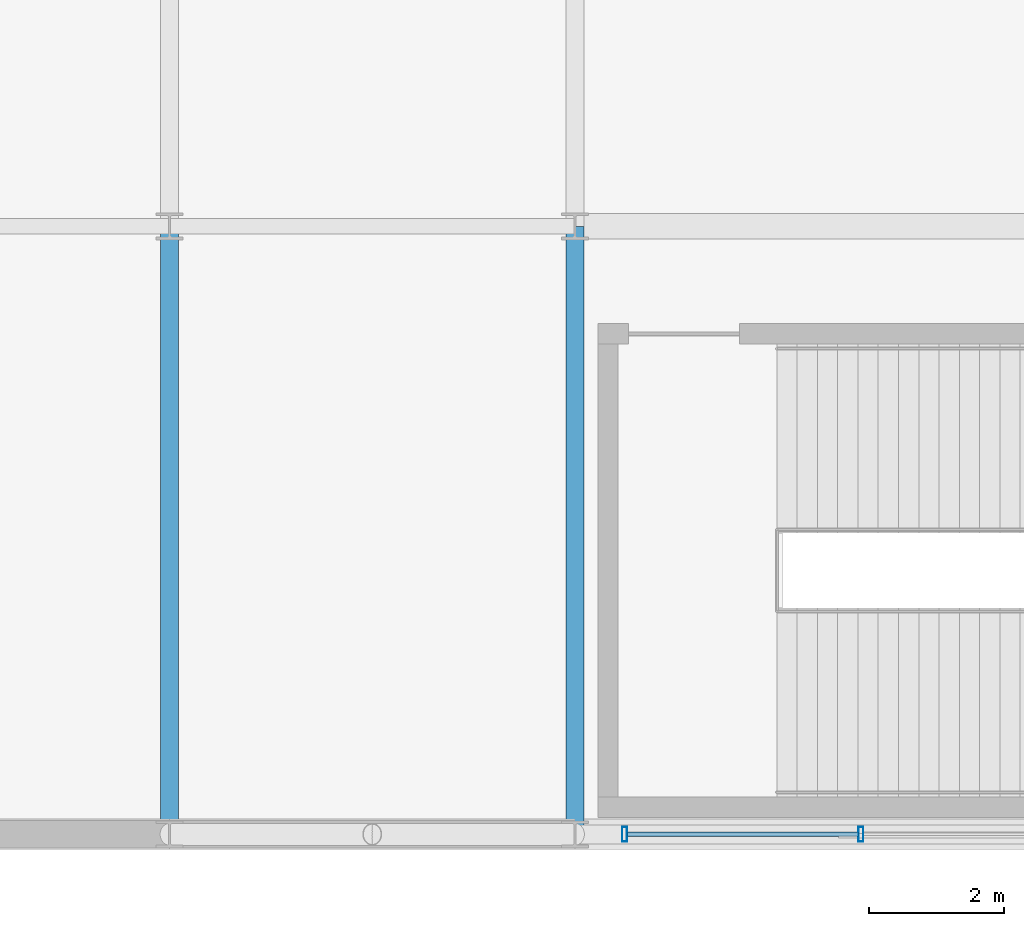
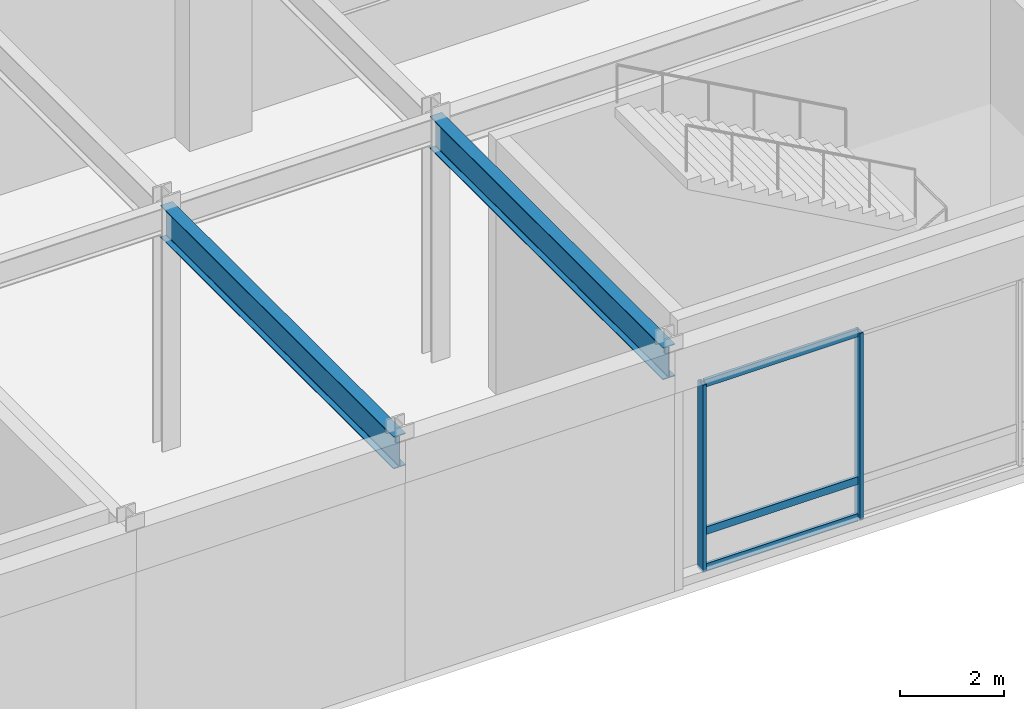
# One storey, part 24 of 105: 5 members, 2 beams, 1 element without a shape of its own.
"""IFC4 building model written with IfcOpenShell, lengths in metres."""

from ifc_helpers import new_model, si_unit, direction, frame, origin, origin_2d, place, context, subcontext, project, spatial, hollow_rectangle, i_section, extrude, material, material_profile, profile_set, type_object, element, aggregate, save


model = new_model("IFC4")

# Units and contexts
model_context = context("Model", 3, precision=1e-05, world=origin(), true_north=direction((0.0, 1.0)))
body_context = subcontext(model_context, "Body", "Model", "MODEL_VIEW")
ifc_project = project(units=[si_unit("LENGTHUNIT", "METRE"), si_unit("AREAUNIT", "SQUARE_METRE"), si_unit("VOLUMEUNIT", "CUBIC_METRE"), si_unit("PLANEANGLEUNIT", "RADIAN"), si_unit("MASSUNIT", "GRAM", prefix="KILO")], contexts=[model_context])

# Site, building, storey
site_placement = place(None, origin())
site = spatial("IfcSite", under=ifc_project, at=site_placement, CompositionType="ELEMENT")
building_placement = place(site_placement, origin())
building = spatial("IfcBuilding", under=site, at=building_placement, Name="Kaldorvane Square Convention Centre", CompositionType="ELEMENT")
storey_placement = place(building_placement, frame((0.0, 0.0, 6.0)))
storey = spatial("IfcBuildingStorey", under=building, at=storey_placement, Name="L01", CompositionType="ELEMENT", Elevation=6.0)

# Beams
ifc_material_1 = material(Name="Steel ASTM A992 Gr. 50", Category="steel")
ifc_material_profile_1 = material_profile(ifc_material_1, i_section(OverallWidth=0.2666015625, OverallDepth=0.762298583984375, WebThickness=0.014404296875, FlangeThickness=0.0216064453125, FilletRadius=0.0164947509765625, at=origin_2d()), Name="W30X116")
ifc_profile_set_1 = profile_set([ifc_material_profile_1], Name="Steel ASTM A992 Gr. 50")
beam_type = type_object("IfcBeamType", Name="BM-GR-W30X116", PredefinedType="BEAM", material=ifc_profile_set_1)
for number, where, z_axis, x_axis, name in (
    (1, (96.0, 0.0, 5.2949066162109375), (0.0, 1.0, 0.0), (-1.0, 0.0, 0.0), "Transverse Girder (L01)"),
    (2, (102.0, 0.0, 5.2949066162109375), (0.0, 1.0, 0.0), (-1.0, 0.0, 0.0), "Transverse Girder (L01)"),
):
    element("IfcBeam", number, at=place(storey_placement, frame(where, z_axis=z_axis, x_axis=x_axis)), inside=storey, type_object=beam_type, Name=name, PredefinedType="BEAM", context=body_context, shape_type="SweptSolid", body=[
        extrude(i_section(OverallWidth=0.2666015625, OverallDepth=0.762298583984375, WebThickness=0.014404296875, FlangeThickness=0.0216064453125, FilletRadius=0.0164947509765625, at=origin_2d()), origin(), (0.0, 0.0, 1.0), 9.0),
    ])

# Curtain wall, members
ifc_material_2 = material(Name="Anodized Aluminum and Low-E Insulated Glazing", Category="aluminium")
curtain_wall_type = type_object("IfcCurtainWallType", Name="CW-UNI-P60-12", PredefinedType="USERDEFINED", material=ifc_material_2)
curtain_wall_placement = place(storey_placement, origin())
curtain_wall = element("IfcCurtainWall", 3, at=curtain_wall_placement, inside=storey, type_object=curtain_wall_type, Name="Curtain Wall CW-01 (L01)", ObjectType="UNITISED GLAZING", PredefinedType="USERDEFINED")
ifc_material_profile_2 = material_profile(ifc_material_2, hollow_rectangle(XDim=0.0749969482421875, YDim=0.220001220703125, WallThickness=0.003997802734375, at=origin_2d()), Name="CWM-220X75")
ifc_profile_set_2 = profile_set([ifc_material_profile_2], Name="Anodized Aluminum and Low-E Insulated Glazing")
member_type_1 = type_object("IfcMemberType", Name="CW-MUL-220", PredefinedType="MULLION", material=ifc_profile_set_2)
member_1_placement = place(storey_placement, frame((102.73750305175781, 0.0, 0.149993896484375), z_axis=(0.0, 0.0, 1.0), x_axis=(1.0, 0.0, 0.0)))
member_1 = element("IfcMember", 4, at=member_1_placement, type_object=member_type_1, Name="CW-01 mullion 1", PredefinedType="MULLION", context=body_context, shape_type="SweptSolid", body=[
    extrude(hollow_rectangle(XDim=0.0749969482421875, YDim=0.220001220703125, WallThickness=0.003997802734375, at=origin_2d()), origin(), (0.0, 0.0, 1.0), 4.410003662109375),
])
member_2_placement = place(storey_placement, frame((106.23333740234375, 0.0, 0.149993896484375), z_axis=(0.0, 0.0, 1.0), x_axis=(1.0, 0.0, 0.0)))
member_2 = element("IfcMember", 5, at=member_2_placement, type_object=member_type_1, Name="CW-01 mullion 2", PredefinedType="MULLION", context=body_context, shape_type="SweptSolid", body=[
    extrude(hollow_rectangle(XDim=0.0749969482421875, YDim=0.220001220703125, WallThickness=0.003997802734375, at=origin_2d()), origin(), (0.0, 0.0, 1.0), 4.410003662109375),
])
ifc_material_profile_3 = material_profile(ifc_material_2, hollow_rectangle(XDim=0.06500244140625, YDim=0.17999267578125, WallThickness=0.0034942626953125, at=origin_2d()), Name="CWT-180X65")
ifc_profile_set_3 = profile_set([ifc_material_profile_3], Name="Anodized Aluminum and Low-E Insulated Glazing")
member_type_2 = type_object("IfcMemberType", Name="CW-TRN-180", PredefinedType="USERDEFINED", material=ifc_profile_set_3)
member_3_placement = place(storey_placement, frame((102.77499389648438, 0.0, 0.1824951171875), z_axis=(1.0, 0.0, 0.0), x_axis=(0.0, 1.0, 0.0)))
member_3 = element("IfcMember", 6, at=member_3_placement, type_object=member_type_2, Name="CW-01 transom 1.1", ObjectType="TRANSOM", PredefinedType="USERDEFINED", context=body_context, shape_type="SweptSolid", body=[
    extrude(hollow_rectangle(XDim=0.06500244140625, YDim=0.17999267578125, WallThickness=0.0034942626953125, at=origin_2d()), origin(), (0.0, 0.0, 1.0), 3.42083740234375),
])
member_4_placement = place(storey_placement, frame((102.77499389648438, 0.0, 1.0500030517578125), z_axis=(1.0, 0.0, 0.0), x_axis=(0.0, 1.0, 0.0)))
member_4 = element("IfcMember", 7, at=member_4_placement, type_object=member_type_2, Name="CW-01 transom 1.2", ObjectType="TRANSOM", PredefinedType="USERDEFINED", context=body_context, shape_type="SweptSolid", body=[
    extrude(hollow_rectangle(XDim=0.06500244140625, YDim=0.17999267578125, WallThickness=0.0034942626953125, at=origin_2d()), origin(), (0.0, 0.0, 1.0), 3.42083740234375),
])
member_5_placement = place(storey_placement, frame((102.77499389648438, 0.0, 4.527496337890625), z_axis=(1.0, 0.0, 0.0), x_axis=(0.0, 1.0, 0.0)))
member_5 = element("IfcMember", 8, at=member_5_placement, type_object=member_type_2, Name="CW-01 transom 1.3", ObjectType="TRANSOM", PredefinedType="USERDEFINED", context=body_context, shape_type="SweptSolid", body=[
    extrude(hollow_rectangle(XDim=0.06500244140625, YDim=0.17999267578125, WallThickness=0.0034942626953125, at=origin_2d()), origin(), (0.0, 0.0, 1.0), 3.42083740234375),
])
aggregate(curtain_wall, [member_1, member_2, member_3, member_4, member_5])

save(model, "model.ifc")
